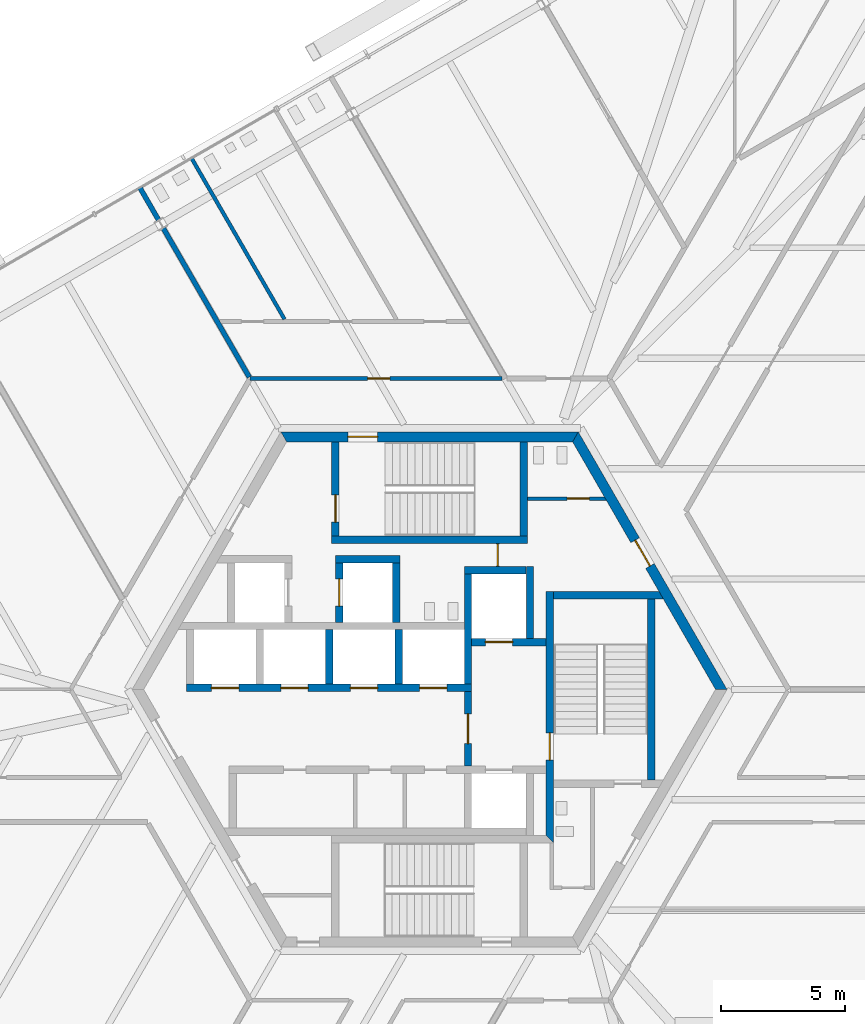
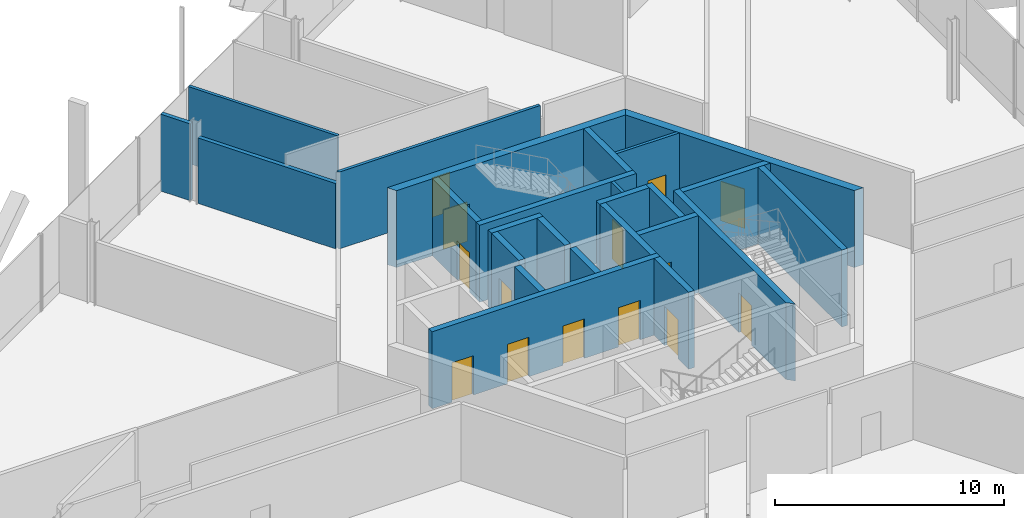
# One storey, part 13 of 19: 25 walls, 14 doors, 14 openings.
"""IFC4 building model written with IfcOpenShell, lengths in metres."""

import ifcopenshell
import ifcopenshell.guid

model = None  # the IFC model being written
_history = None  # IfcOwnerHistory: only IFC2X3 demands one
_inside = {}  # id of a spatial element -> (the spatial element, [elements in it])
_under = {}  # id of a project, library or spatial element -> (it, [spatial elements below it])
_declared = {}  # id of a project -> (the project, [libraries it declares])
_typed = {}  # id of a type object -> (the type object, [elements of that type])
_made_of = {}  # id of a material, layer set ... -> (it, [elements and type objects made of it])


def new_model(schema):
    """Start an empty IFC model of exactly this schema.

    Asked for "IFC4X3", IfcOpenShell would pick the latest addendum, in which some entities
    have other attributes; the version numbers below select the first issue.
    IFC2X3 requires an IfcOwnerHistory on every rooted entity: one is made here for all.
    """
    global model, _history
    if schema == "IFC4X3":
        model = ifcopenshell.file(schema_version=(4, 3, 0, 0))
    else:
        model = ifcopenshell.file(schema=schema)
    _inside.clear()
    _under.clear()
    _declared.clear()
    _typed.clear()
    _made_of.clear()
    _history = None
    if model.schema == "IFC2X3":
        org = make("IfcOrganization", Name="unknown")
        user = make(
            "IfcPersonAndOrganization",
            ThePerson=make("IfcPerson", FamilyName="unknown"),
            TheOrganization=org,
        )
        app = make(
            "IfcApplication",
            ApplicationDeveloper=org,
            Version="unknown",
            ApplicationFullName="unknown",
            ApplicationIdentifier="unknown",
        )
        _history = make(
            "IfcOwnerHistory",
            OwningUser=user,
            OwningApplication=app,
            ChangeAction="ADDED",
            CreationDate=0,
        )
    return model


def make(cls, **values):
    """One entity of the class cls with the attributes given. An attribute that is None is left unset."""
    return model.create_entity(
        cls, **{name: value for name, value in values.items() if value is not None}
    )


def rooted(cls, **values):
    """An entity with a GlobalId (a new one), such as an element, a storey or a relation."""
    return make(cls, GlobalId=ifcopenshell.guid.new(), OwnerHistory=_history, **values)


def si_unit(unit_type, name, prefix=None):
    """IfcSIUnit, for example si_unit("LENGTHUNIT", "METRE", prefix="MILLI")."""
    return make("IfcSIUnit", UnitType=unit_type, Prefix=prefix, Name=name)


def assignment(units):
    """IfcUnitAssignment: the units of a project."""
    return None if units is None else make("IfcUnitAssignment", Units=units)


def point(xyz):
    """IfcCartesianPoint."""
    return None if xyz is None else make("IfcCartesianPoint", Coordinates=xyz)


def direction(xyz):
    """IfcDirection."""
    return None if xyz is None else make("IfcDirection", DirectionRatios=xyz)


def frame(location, z_axis=None, x_axis=None):
    """IfcAxis2Placement3D, a coordinate frame: its origin and axes. An axis left out is left unset."""
    return make(
        "IfcAxis2Placement3D",
        Location=point(location),
        Axis=direction(z_axis),
        RefDirection=direction(x_axis),
    )


def frame_2d(location, x_axis=None):
    """IfcAxis2Placement2D, a coordinate frame in the plane: its origin and x axis."""
    return make(
        "IfcAxis2Placement2D", Location=point(location), RefDirection=direction(x_axis)
    )


def origin():
    """The frame at (0, 0, 0) with its axes left unset."""
    return frame((0.0, 0.0, 0.0))


def place(relative_to, where):
    """IfcLocalPlacement: puts the frame where relative to a parent placement (None: the world)."""
    return make(
        "IfcLocalPlacement", PlacementRelTo=relative_to, RelativePlacement=where
    )


def context(
    kind, dimensions, precision=None, world=None, true_north=None, identifier=None
):
    """IfcGeometricRepresentationContext, for example the 3D "Model" context."""
    return make(
        "IfcGeometricRepresentationContext",
        ContextIdentifier=identifier,
        ContextType=kind,
        CoordinateSpaceDimension=dimensions,
        Precision=precision,
        WorldCoordinateSystem=world,
        TrueNorth=true_north,
    )


def subcontext(parent, identifier, kind, view, scale=None):
    """IfcGeometricRepresentationSubContext, for example "Body" below "Model"."""
    return make(
        "IfcGeometricRepresentationSubContext",
        ContextIdentifier=identifier,
        ContextType=kind,
        ParentContext=parent,
        TargetScale=scale,
        TargetView=view,
    )


def project(units=None, contexts=None):
    """IfcProject with its units and contexts."""
    return rooted(
        "IfcProject",
        Name="project",
        RepresentationContexts=contexts,
        UnitsInContext=assignment(units),
    )


def spatial(cls, under=None, at=None, **own):
    """A site, building, storey or space (cls), placed at a placement, below another one or the project."""
    s = rooted(cls, ObjectPlacement=at, **own)
    if under is not None:
        _under.setdefault(under.id(), (under, []))[1].append(s)
    return s


def polyline(points):
    """IfcPolyline through the points."""
    return make("IfcPolyline", Points=[point(p) for p in points])


def profile(cls, at=None, kind="AREA", **sizes):
    """A parametric profile (cls). Its sizes go by their IFC names, for example OverallWidth=200.0."""
    return make(cls, ProfileType=kind, Position=at, **sizes)


def rectangle(**sizes):
    """IfcRectangleProfileDef."""
    return profile("IfcRectangleProfileDef", **sizes)


def outline(outer, holes=None, kind="AREA"):
    """IfcArbitraryClosedProfileDef: a profile drawn as a closed curve; with holes, ...WithVoids."""
    if holes is None:
        return make("IfcArbitraryClosedProfileDef", ProfileType=kind, OuterCurve=outer)
    return make(
        "IfcArbitraryProfileDefWithVoids",
        ProfileType=kind,
        OuterCurve=outer,
        InnerCurves=holes,
    )


def extrude(swept, where, along, depth):
    """IfcExtrudedAreaSolid: the profile swept, set in the frame where, extruded along a direction by depth."""
    return make(
        "IfcExtrudedAreaSolid",
        SweptArea=swept,
        Position=where,
        ExtrudedDirection=direction(along),
        Depth=depth,
    )


def shape(context_of_items, identifier, shape_type, items):
    """IfcShapeRepresentation: the items that make up one representation, for example the "Body"."""
    return make(
        "IfcShapeRepresentation",
        ContextOfItems=context_of_items,
        RepresentationIdentifier=identifier,
        RepresentationType=shape_type,
        Items=items,
    )


def source(mapping_origin, context_of_items, identifier, shape_type, items):
    """IfcRepresentationMap: a shape defined once, which mapped items show again and again."""
    return make(
        "IfcRepresentationMap",
        MappingOrigin=mapping_origin,
        MappedRepresentation=shape(context_of_items, identifier, shape_type, items),
    )


def transform(
    local_origin,
    x_axis=None,
    y_axis=None,
    z_axis=None,
    scale=None,
    scale2=None,
    scale3=None,
    uniform=True,
):
    """IfcCartesianTransformationOperator3D, or its non-uniform kind. x_axis, y_axis, z_axis: its Axis1, 2, 3."""
    if uniform:
        return make(
            "IfcCartesianTransformationOperator3D",
            Axis1=direction(x_axis),
            Axis2=direction(y_axis),
            LocalOrigin=point(local_origin),
            Scale=scale,
            Axis3=direction(z_axis),
        )
    return make(
        "IfcCartesianTransformationOperator3DnonUniform",
        Axis1=direction(x_axis),
        Axis2=direction(y_axis),
        LocalOrigin=point(local_origin),
        Scale=scale,
        Axis3=direction(z_axis),
        Scale2=scale2,
        Scale3=scale3,
    )


def mapped(mapping_source, mapping_target):
    """IfcMappedItem: shows the shape of a source again, moved by a transform."""
    return make(
        "IfcMappedItem", MappingSource=mapping_source, MappingTarget=mapping_target
    )


def material(Name=None, Category=None):
    """IfcMaterial."""
    return make("IfcMaterial", Name=Name, Category=Category)


def layer(
    of_material, thickness, ventilated=None, Name=None, Category=None, Priority=None
):
    """IfcMaterialLayer: one layer of a wall or slab, of a material (None: an air gap)."""
    return make(
        "IfcMaterialLayer",
        Material=of_material,
        LayerThickness=thickness,
        IsVentilated=ventilated,
        Name=Name,
        Category=Category,
        Priority=Priority,
    )


def layer_set(layers, Name=None):
    """IfcMaterialLayerSet."""
    return make("IfcMaterialLayerSet", MaterialLayers=layers, LayerSetName=Name)


def made_of(thing, what):
    """Note that an element or type object is made of a material, layer set ...; save() writes the relation."""
    if what is not None:
        _made_of.setdefault(what.id(), (what, []))[1].append(thing)
    return thing


def type_object(cls, material=None, **own):
    """A type object (cls), such as IfcWallType, which elements share."""
    return made_of(rooted(cls, **own), material)


def element(
    cls,
    number,
    at=None,
    inside=None,
    cuts=None,
    type_object=None,
    material=None,
    context=None,
    identifier="Body",
    shape_type=None,
    held_by="IfcProductDefinitionShape",
    body=None,
    shapes=None,
    **own,
):
    """One element of the class cls, such as IfcWall. Its Tag is "e" and its number.

    at: its placement. inside: the storey or other place that contains it. cuts: it is an
    opening in that element (IfcRelVoidsElement). A single representation is given by context,
    identifier, shape_type and body (its items); several are given by shapes. held_by: the class
    of the entity that holds the representations. save() writes the other relations.
    """
    e = rooted(cls, Tag="e%d" % number, ObjectPlacement=at, **own)
    if body is not None:
        shapes = [shape(context, identifier, shape_type, body)]
    if shapes is not None:
        e.Representation = make(held_by, Representations=shapes)
    if inside is not None:
        _inside.setdefault(inside.id(), (inside, []))[1].append(e)
    if cuts is not None:
        rooted(
            "IfcRelVoidsElement", RelatingBuildingElement=cuts, RelatedOpeningElement=e
        )
    if type_object is not None:
        _typed.setdefault(type_object.id(), (type_object, []))[1].append(e)
    return made_of(e, material)


def fill(opening, filler):
    """IfcRelFillsElement: the door or window that sits in an opening."""
    return rooted(
        "IfcRelFillsElement",
        RelatingOpeningElement=opening,
        RelatedBuildingElement=filler,
    )


def aggregate(whole, parts):
    """IfcRelAggregates: a whole, such as a stair, and the parts it consists of."""
    return rooted("IfcRelAggregates", RelatingObject=whole, RelatedObjects=parts)


def save(model, path):
    """Write the relations noted so far, then the file.

    IfcRelAggregates (storeys below a building ...), IfcRelContainedInSpatialStructure (elements
    in a storey), IfcRelDefinesByType, IfcRelAssociatesMaterial and IfcRelDeclares: one each for
    every whole, place, type object, material and project.
    """
    for whole, parts in _under.values():
        aggregate(whole, parts)
    for where, things in _inside.values():
        rooted(
            "IfcRelContainedInSpatialStructure",
            RelatedElements=things,
            RelatingStructure=where,
        )
    for kind, things in _typed.values():
        rooted("IfcRelDefinesByType", RelatedObjects=things, RelatingType=kind)
    for what, things in _made_of.values():
        rooted("IfcRelAssociatesMaterial", RelatedObjects=things, RelatingMaterial=what)
    for by, libraries in _declared.values():
        rooted("IfcRelDeclares", RelatingContext=by, RelatedDefinitions=libraries)
    model.write(path)


model = new_model("IFC4")

# Units and contexts
model_context = context("Model", 3, precision=1e-05, world=origin(), true_north=direction((0.0, 1.0)))
body_context = subcontext(model_context, "Body", "Model", "MODEL_VIEW")
ifc_project = project(units=[si_unit("LENGTHUNIT", "METRE"), si_unit("AREAUNIT", "SQUARE_METRE"), si_unit("VOLUMEUNIT", "CUBIC_METRE"), si_unit("PLANEANGLEUNIT", "RADIAN"), si_unit("MASSUNIT", "GRAM", prefix="KILO")], contexts=[model_context])

# Site, building, storey
site_placement = place(None, origin())
site = spatial("IfcSite", under=ifc_project, at=site_placement, CompositionType="ELEMENT")
building_placement = place(site_placement, origin())
building = spatial("IfcBuilding", under=site, at=building_placement, Name="Triune Harvest Tower", CompositionType="ELEMENT")
storey_placement = place(building_placement, frame((0.0, 0.0, 24.60009765625)))
storey = spatial("IfcBuildingStorey", under=building, at=storey_placement, Name="L05", CompositionType="ELEMENT", Elevation=24.60009765625)

# Wall, opening, door
ifc_material_1 = material(Name="Concrete 70 MPa", Category="concrete")
ifc_layer_1 = layer(ifc_material_1, 0.39990234375)
ifc_layer_set_1 = layer_set([ifc_layer_1], Name="Concrete 70 MPa")
wall_type_1 = type_object("IfcWallType", Name="Core wall 400", PredefinedType="SHEAR", material=ifc_layer_set_1)
shared_shape_1 = source(origin(), body_context, "Body", "SweptSolid", [
    extrude(outline(polyline([(-0.115478515625, -0.199951171875), (11.884521484375, -0.199951171875), (11.653564453125, 0.199951171875), (0.115478515625, 0.199951171875), (-0.115478515625, -0.199951171875)])), origin(), (0.0, 0.0, 1.0), 4.099853515625),
])
wall_1_placement = place(storey_placement, frame((11.76904296875, 0.0, 0.0), z_axis=(0.0, 0.0, 1.0), x_axis=(-0.499996592174, 0.866027371285, 0.0)))
wall_1 = element("IfcWall", 1, at=wall_1_placement, inside=storey, type_object=wall_type_1, Name="Hexagon 0 wall", PredefinedType="SHEAR", context=body_context, shape_type="MappedRepresentation", body=[
    mapped(shared_shape_1, transform((0.0, 0.0, 0.0), scale=1.0)),
])
opening_1_placement = place(wall_1_placement, frame((5.75048828125, 0.0, 0.0)))
opening_1 = element("IfcOpeningElement", 2, at=opening_1_placement, cuts=wall_1, Name="Opening CD-WCP", PredefinedType="OPENING", context=body_context, shape_type="SweptSolid", body=[
    extrude(rectangle(XDim=1.199951171875, YDim=2.10009765625, at=frame_2d((0.60009765625, 1.050048828125))), frame((0.0, 0.2099609375, 0.0), z_axis=(0.0, -1.0, 0.0), x_axis=(1.0, 0.0, 0.0)), (0.0, 0.0, 1.0), 0.419921875),
])
ifc_material_2 = material(Name="Steel S235", Category="steel")
door_type_1 = type_object("IfcDoorType", Name="Lobby door 1200 FD120", OperationType="SINGLE_SWING_LEFT", PredefinedType="DOOR", material=ifc_material_2)
door_1_placement = place(opening_1_placement, frame((1.199951171875, 0.0, 0.0), z_axis=(0.0, 0.0, 1.0), x_axis=(-1.0, 0.0, 0.0)))
door_1 = element("IfcDoor", 3, at=door_1_placement, inside=storey, type_object=door_type_1, Name="Door CD-WCP", OperationType="SINGLE_SWING_RIGHT", OverallHeight=2.10009765625, OverallWidth=1.199951171875, PredefinedType="DOOR", context=body_context, shape_type="SweptSolid", body=[
    extrude(rectangle(XDim=1.199951171875, YDim=2.10009765625, at=frame_2d((0.60009765625, 1.050048828125))), frame((0.0, 0.02490234375, 0.0), z_axis=(0.0, -1.0, 0.0), x_axis=(1.0, 0.0, 0.0)), (0.0, 0.0, 1.0), 0.050048828125),
])
fill(opening_1, door_1)

wall_2_placement = place(storey_placement, frame((5.884521484375, 10.1923828125, 0.0), z_axis=(0.0, 0.0, 1.0), x_axis=(-1.0, 0.0, 0.0)))
wall_2 = element("IfcWall", 4, at=wall_2_placement, inside=storey, type_object=wall_type_1, Name="Hexagon 1 wall", PredefinedType="SHEAR", context=body_context, shape_type="MappedRepresentation", body=[
    mapped(shared_shape_1, transform((0.0, 0.0, 0.0), scale=1.0)),
])
opening_2_placement = place(wall_2_placement, frame((7.984619140625, 0.0, 0.0)))
opening_2 = element("IfcOpeningElement", 5, at=opening_2_placement, cuts=wall_2, Name="Opening CD-S1P", PredefinedType="OPENING", context=body_context, shape_type="SweptSolid", body=[
    extrude(rectangle(XDim=1.199951171875, YDim=2.10009765625, at=frame_2d((0.60009765625, 1.050048828125))), frame((0.0, 0.2099609375, 0.0), z_axis=(0.0, -1.0, 0.0), x_axis=(1.0, 0.0, 0.0)), (0.0, 0.0, 1.0), 0.419921875),
])
ifc_material_3 = material(Name="Steel S235", Category="steel")
door_type_2 = type_object("IfcDoorType", Name="Stair door 1200 FD120", OperationType="SINGLE_SWING_LEFT", PredefinedType="DOOR", material=ifc_material_3)
door_2_placement = place(opening_2_placement, frame((1.199951171875, 0.0, 0.0), z_axis=(0.0, 0.0, 1.0), x_axis=(-1.0, 0.0, 0.0)))
door_2 = element("IfcDoor", 6, at=door_2_placement, inside=storey, type_object=door_type_2, Name="Door CD-S1P", OperationType="SINGLE_SWING_RIGHT", OverallHeight=2.10009765625, OverallWidth=1.199951171875, PredefinedType="DOOR", context=body_context, shape_type="SweptSolid", body=[
    extrude(rectangle(XDim=1.199951171875, YDim=2.10009765625, at=frame_2d((0.60009765625, 1.050048828125))), frame((0.0, 0.02490234375, 0.0), z_axis=(0.0, -1.0, 0.0), x_axis=(1.0, 0.0, 0.0)), (0.0, 0.0, 1.0), 0.050048828125),
])
fill(opening_2, door_2)

# Wall, openings, doors
ifc_material_4 = material(Name="Concrete 70 MPa", Category="concrete")
ifc_layer_2 = layer(ifc_material_4, 0.300048828125)
ifc_layer_set_2 = layer_set([ifc_layer_2], Name="Concrete 70 MPa")
wall_type_2 = type_object("IfcWallType", Name="Core wall 300", PredefinedType="SHEAR", material=ifc_layer_set_2)
shared_shape_2 = source(origin(), body_context, "Body", "SweptSolid", [
    extrude(rectangle(XDim=11.5, YDim=0.300048828125, at=frame_2d((5.75, 0.0))), origin(), (0.0, 0.0, 1.0), 4.099853515625),
])
wall_3_placement = place(storey_placement, frame((-9.800048828125, 0.06005859375, 0.0), z_axis=(0.0, 0.0, 1.0), x_axis=(1.0, 0.0, 0.0)))
wall_3 = element("IfcWall", 7, at=wall_3_placement, inside=storey, type_object=wall_type_2, Name="North front wall", PredefinedType="SHEAR", context=body_context, shape_type="MappedRepresentation", body=[
    mapped(shared_shape_2, transform((0.0, 0.0, 0.0), scale=1.0)),
])
opening_3_placement = place(wall_3_placement, frame((1.0, 0.0, 0.0)))
opening_3 = element("IfcOpeningElement", 8, at=opening_3_placement, cuts=wall_3, Name="Opening LD-LR1-05", PredefinedType="OPENING", context=body_context, shape_type="SweptSolid", body=[
    extrude(rectangle(XDim=1.10009765625, YDim=2.10009765625, at=frame_2d((0.550048828125, 1.050048828125))), frame((0.0, 0.16015625, 0.0), z_axis=(0.0, -1.0, 0.0), x_axis=(1.0, 0.0, 0.0)), (0.0, 0.0, 1.0), 0.320068359375),
])
opening_4_placement = place(wall_3_placement, frame((3.800048828125, 0.0, 0.0)))
opening_4 = element("IfcOpeningElement", 9, at=opening_4_placement, cuts=wall_3, Name="Opening LD-LR2-05", PredefinedType="OPENING", context=body_context, shape_type="SweptSolid", body=[
    extrude(rectangle(XDim=1.10009765625, YDim=2.10009765625, at=frame_2d((0.550048828125, 1.050048828125))), frame((0.0, 0.16015625, 0.0), z_axis=(0.0, -1.0, 0.0), x_axis=(1.0, 0.0, 0.0)), (0.0, 0.0, 1.0), 0.320068359375),
])
opening_5_placement = place(wall_3_placement, frame((6.60009765625, 0.0, 0.0)))
opening_5 = element("IfcOpeningElement", 10, at=opening_5_placement, cuts=wall_3, Name="Opening LD-LR3-05", PredefinedType="OPENING", context=body_context, shape_type="SweptSolid", body=[
    extrude(rectangle(XDim=1.10009765625, YDim=2.10009765625, at=frame_2d((0.550048828125, 1.050048828125))), frame((0.0, 0.16015625, 0.0), z_axis=(0.0, -1.0, 0.0), x_axis=(1.0, 0.0, 0.0)), (0.0, 0.0, 1.0), 0.320068359375),
])
opening_6_placement = place(wall_3_placement, frame((9.39990234375, 0.0, 0.0)))
opening_6 = element("IfcOpeningElement", 11, at=opening_6_placement, cuts=wall_3, Name="Opening LD-LR4-05", PredefinedType="OPENING", context=body_context, shape_type="SweptSolid", body=[
    extrude(rectangle(XDim=1.10009765625, YDim=2.10009765625, at=frame_2d((0.550048828125, 1.050048828125))), frame((0.0, 0.16015625, 0.0), z_axis=(0.0, -1.0, 0.0), x_axis=(1.0, 0.0, 0.0)), (0.0, 0.0, 1.0), 0.320068359375),
])
ifc_material_5 = material(Name="Stainless steel AISI 304", Category="steel")
door_type_3 = type_object("IfcDoorType", Name="Landing door 1100 x 2100", OperationType="DOUBLE_DOOR_SLIDING", PredefinedType="DOOR", material=ifc_material_5)
door_3_placement = place(opening_3_placement, origin())
door_3 = element("IfcDoor", 12, at=door_3_placement, inside=storey, type_object=door_type_3, Name="Door LD-LR1-05", OperationType="DOUBLE_DOOR_SLIDING", OverallHeight=2.10009765625, OverallWidth=1.10009765625, PredefinedType="DOOR", context=body_context, shape_type="SweptSolid", body=[
    extrude(rectangle(XDim=1.10009765625, YDim=2.10009765625, at=frame_2d((0.550048828125, 1.050048828125))), frame((0.0, 0.02490234375, 0.0), z_axis=(0.0, -1.0, 0.0), x_axis=(1.0, 0.0, 0.0)), (0.0, 0.0, 1.0), 0.050048828125),
])
fill(opening_3, door_3)
door_4_placement = place(opening_4_placement, origin())
door_4 = element("IfcDoor", 13, at=door_4_placement, inside=storey, type_object=door_type_3, Name="Door LD-LR2-05", OperationType="DOUBLE_DOOR_SLIDING", OverallHeight=2.10009765625, OverallWidth=1.10009765625, PredefinedType="DOOR", context=body_context, shape_type="SweptSolid", body=[
    extrude(rectangle(XDim=1.10009765625, YDim=2.10009765625, at=frame_2d((0.550048828125, 1.050048828125))), frame((0.0, 0.02490234375, 0.0), z_axis=(0.0, -1.0, 0.0), x_axis=(1.0, 0.0, 0.0)), (0.0, 0.0, 1.0), 0.050048828125),
])
fill(opening_4, door_4)
door_5_placement = place(opening_5_placement, origin())
door_5 = element("IfcDoor", 14, at=door_5_placement, inside=storey, type_object=door_type_3, Name="Door LD-LR3-05", OperationType="DOUBLE_DOOR_SLIDING", OverallHeight=2.10009765625, OverallWidth=1.10009765625, PredefinedType="DOOR", context=body_context, shape_type="SweptSolid", body=[
    extrude(rectangle(XDim=1.10009765625, YDim=2.10009765625, at=frame_2d((0.550048828125, 1.050048828125))), frame((0.0, 0.02490234375, 0.0), z_axis=(0.0, -1.0, 0.0), x_axis=(1.0, 0.0, 0.0)), (0.0, 0.0, 1.0), 0.050048828125),
])
fill(opening_5, door_5)
door_6_placement = place(opening_6_placement, origin())
door_6 = element("IfcDoor", 15, at=door_6_placement, inside=storey, type_object=door_type_3, Name="Door LD-LR4-05", OperationType="DOUBLE_DOOR_SLIDING", OverallHeight=2.10009765625, OverallWidth=1.10009765625, PredefinedType="DOOR", context=body_context, shape_type="SweptSolid", body=[
    extrude(rectangle(XDim=1.10009765625, YDim=2.10009765625, at=frame_2d((0.550048828125, 1.050048828125))), frame((0.0, 0.02490234375, 0.0), z_axis=(0.0, -1.0, 0.0), x_axis=(1.0, 0.0, 0.0)), (0.0, 0.0, 1.0), 0.050048828125),
])
fill(opening_6, door_6)

# Walls
shared_shape_3 = source(origin(), body_context, "Body", "SweptSolid", [
    extrude(rectangle(XDim=2.5, YDim=0.300048828125, at=frame_2d((1.25, 0.0))), origin(), (0.0, 0.0, 1.0), 4.099853515625),
])
wall_4_placement = place(storey_placement, frame((1.39990234375, 4.81005859375, 0.0), z_axis=(0.0, 0.0, 1.0), x_axis=(1.0, 0.0, 0.0)))
element("IfcWall", 16, at=wall_4_placement, inside=storey, type_object=wall_type_2, Name="Ff1 back wall", PredefinedType="SHEAR", context=body_context, shape_type="MappedRepresentation", body=[
    mapped(shared_shape_3, transform((0.0, 0.0, 0.0), scale=1.0)),
])
shared_shape_4 = source(origin(), body_context, "Body", "SweptSolid", [
    extrude(rectangle(XDim=4.449951171875, YDim=0.300048828125, at=frame_2d((2.22509765625, 0.0))), origin(), (0.0, 0.0, 1.0), 4.099853515625),
])
wall_5_placement = place(storey_placement, frame((1.550048828125, 0.2099609375, 0.0), z_axis=(0.0, 0.0, 1.0), x_axis=(0.0, 1.0, 0.0)))
element("IfcWall", 17, at=wall_5_placement, inside=storey, type_object=wall_type_2, Name="Ff1 west wall", PredefinedType="SHEAR", context=body_context, shape_type="MappedRepresentation", body=[
    mapped(shared_shape_4, transform((0.0, 0.0, 0.0), scale=1.0)),
])

# Wall, opening, door
shared_shape_5 = source(origin(), body_context, "Body", "SweptSolid", [
    extrude(rectangle(XDim=3.0, YDim=0.300048828125, at=frame_2d((1.5, 0.0))), origin(), (0.0, 0.0, 1.0), 4.099853515625),
])
wall_6_placement = place(storey_placement, frame((1.699951171875, 1.909912109375, 0.0), z_axis=(0.0, 0.0, 1.0), x_axis=(1.0, 0.0, 0.0)))
wall_6 = element("IfcWall", 18, at=wall_6_placement, inside=storey, type_object=wall_type_2, Name="Ff1 front wall", PredefinedType="SHEAR", context=body_context, shape_type="MappedRepresentation", body=[
    mapped(shared_shape_5, transform((0.0, 0.0, 0.0), scale=1.0)),
])
opening_7_placement = place(wall_6_placement, frame((0.550048828125, 0.0, 0.0)))
opening_7 = element("IfcOpeningElement", 19, at=opening_7_placement, cuts=wall_6, Name="Opening LD-FF1-05", PredefinedType="OPENING", context=body_context, shape_type="SweptSolid", body=[
    extrude(rectangle(XDim=1.10009765625, YDim=2.10009765625, at=frame_2d((0.550048828125, 1.050048828125))), frame((0.0, 0.16015625, 0.0), z_axis=(0.0, -1.0, 0.0), x_axis=(1.0, 0.0, 0.0)), (0.0, 0.0, 1.0), 0.320068359375),
])
door_7_placement = place(opening_7_placement, origin())
door_7 = element("IfcDoor", 20, at=door_7_placement, inside=storey, type_object=door_type_3, Name="Door LD-FF1-05", OperationType="DOUBLE_DOOR_SLIDING", OverallHeight=2.10009765625, OverallWidth=1.10009765625, PredefinedType="DOOR", context=body_context, shape_type="SweptSolid", body=[
    extrude(rectangle(XDim=1.10009765625, YDim=2.10009765625, at=frame_2d((0.550048828125, 1.050048828125))), frame((0.0, 0.02490234375, 0.0), z_axis=(0.0, -1.0, 0.0), x_axis=(1.0, 0.0, 0.0)), (0.0, 0.0, 1.0), 0.050048828125),
])
fill(opening_7, door_7)

wall_7_placement = place(storey_placement, frame((1.550048828125, -3.090087890625, 0.0), z_axis=(0.0, 0.0, 1.0), x_axis=(0.0, 1.0, 0.0)))
wall_7 = element("IfcWall", 21, at=wall_7_placement, inside=storey, type_object=wall_type_2, Name="Ff lobby west wall", PredefinedType="SHEAR", context=body_context, shape_type="MappedRepresentation", body=[
    mapped(shared_shape_5, transform((0.0, 0.0, 0.0), scale=1.0)),
])
opening_8_placement = place(wall_7_placement, frame((0.89990234375, 0.0, 0.0)))
opening_8 = element("IfcOpeningElement", 22, at=opening_8_placement, cuts=wall_7, Name="Opening CD-FL", PredefinedType="OPENING", context=body_context, shape_type="SweptSolid", body=[
    extrude(rectangle(XDim=1.199951171875, YDim=2.10009765625, at=frame_2d((0.60009765625, 1.050048828125))), frame((0.0, 0.16015625, 0.0), z_axis=(0.0, -1.0, 0.0), x_axis=(1.0, 0.0, 0.0)), (0.0, 0.0, 1.0), 0.320068359375),
])
ifc_material_6 = material(Name="Steel S235", Category="steel")
door_type_4 = type_object("IfcDoorType", Name="Firefighters' lobby door 1200 FD120", OperationType="SINGLE_SWING_LEFT", PredefinedType="DOOR", material=ifc_material_6)
door_8_placement = place(opening_8_placement, frame((1.199951171875, 0.0, 0.0), z_axis=(0.0, 0.0, 1.0), x_axis=(-1.0, 0.0, 0.0)))
door_8 = element("IfcDoor", 23, at=door_8_placement, inside=storey, type_object=door_type_4, Name="Door CD-FL", OperationType="SINGLE_SWING_RIGHT", OverallHeight=2.10009765625, OverallWidth=1.199951171875, PredefinedType="DOOR", context=body_context, shape_type="SweptSolid", body=[
    extrude(rectangle(XDim=1.199951171875, YDim=2.10009765625, at=frame_2d((0.60009765625, 1.050048828125))), frame((0.0, 0.02490234375, 0.0), z_axis=(0.0, -1.0, 0.0), x_axis=(1.0, 0.0, 0.0)), (0.0, 0.0, 1.0), 0.050048828125),
])
fill(opening_8, door_8)

# Walls
shared_shape_6 = source(origin(), body_context, "Body", "SweptSolid", [
    extrude(rectangle(XDim=2.89990234375, YDim=0.300048828125, at=frame_2d((1.449951171875, 0.0))), origin(), (0.0, 0.0, 1.0), 4.099853515625),
])
wall_8_placement = place(storey_placement, frame((4.050048828125, 2.06005859375, 0.0), z_axis=(0.0, 0.0, 1.0), x_axis=(0.0, 1.0, 0.0)))
element("IfcWall", 24, at=wall_8_placement, inside=storey, type_object=wall_type_2, Name="Ff1 east wall", PredefinedType="SHEAR", context=body_context, shape_type="MappedRepresentation", body=[
    mapped(shared_shape_6, transform((0.0, 0.0, 0.0), scale=1.0)),
])
shared_shape_7 = source(origin(), body_context, "Body", "SweptSolid", [
    extrude(rectangle(XDim=2.199951171875, YDim=0.300048828125, at=frame_2d((1.10009765625, 0.0))), origin(), (0.0, 0.0, 1.0), 4.099853515625),
])
for number, where, z_axis, x_axis, name in (
    (25, (-4.050048828125, 0.2099609375, 0.0), (0.0, 0.0, 1.0), (0.0, 1.0, 0.0), "North cross 2 wall"),
    (26, (-1.25, 0.2099609375, 0.0), (0.0, 0.0, 1.0), (0.0, 1.0, 0.0), "North cross 3 wall"),
):
    element("IfcWall", number, at=place(storey_placement, frame(where, z_axis=z_axis, x_axis=x_axis)), inside=storey, type_object=wall_type_2, Name=name, PredefinedType="SHEAR", context=body_context, shape_type="MappedRepresentation", body=[
        mapped(shared_shape_7, transform((0.0, 0.0, 0.0), scale=1.0)),
    ])

# Wall, opening, door
shared_shape_8 = source(origin(), body_context, "Body", "SweptSolid", [
    extrude(outline(polyline([(-0.14990234375, -0.14990234375), (9.989990234375, -0.14990234375), (9.989990234375, 0.14990234375), (0.14990234375, 0.14990234375), (-0.14990234375, -0.14990234375)])), origin(), (0.0, 0.0, 1.0), 4.099853515625),
])
wall_9_placement = place(storey_placement, frame((4.85009765625, -6.0400390625, 0.0), z_axis=(0.0, 0.0, 1.0), x_axis=(0.0, 1.0, 0.0)))
wall_9 = element("IfcWall", 27, at=wall_9_placement, inside=storey, type_object=wall_type_2, Name="Stair e west wall", PredefinedType="SHEAR", context=body_context, shape_type="MappedRepresentation", body=[
    mapped(shared_shape_8, transform((0.0, 0.0, 0.0), scale=1.0)),
])
opening_9_placement = place(wall_9_placement, frame((3.18994140625, 0.0, 0.0)))
opening_9 = element("IfcOpeningElement", 28, at=opening_9_placement, cuts=wall_9, Name="Opening CD-S3L", PredefinedType="OPENING", context=body_context, shape_type="SweptSolid", body=[
    extrude(rectangle(XDim=1.10009765625, YDim=2.10009765625, at=frame_2d((0.550048828125, 1.050048828125))), frame((0.0, 0.16015625, 0.0), z_axis=(0.0, -1.0, 0.0), x_axis=(1.0, 0.0, 0.0)), (0.0, 0.0, 1.0), 0.320068359375),
])
ifc_material_7 = material(Name="Steel S235", Category="steel")
door_type_5 = type_object("IfcDoorType", Name="Stair door 1100 FD120", OperationType="SINGLE_SWING_LEFT", PredefinedType="DOOR", material=ifc_material_7)
door_9_placement = place(opening_9_placement, frame((1.10009765625, 0.0, 0.0), z_axis=(0.0, 0.0, 1.0), x_axis=(-1.0, 0.0, 0.0)))
door_9 = element("IfcDoor", 29, at=door_9_placement, inside=storey, type_object=door_type_5, Name="Door CD-S3L", OperationType="SINGLE_SWING_RIGHT", OverallHeight=2.10009765625, OverallWidth=1.10009765625, PredefinedType="DOOR", context=body_context, shape_type="SweptSolid", body=[
    extrude(rectangle(XDim=1.10009765625, YDim=2.10009765625, at=frame_2d((0.550048828125, 1.050048828125))), frame((0.0, 0.02490234375, 0.0), z_axis=(0.0, -1.0, 0.0), x_axis=(1.0, 0.0, 0.0)), (0.0, 0.0, 1.0), 0.050048828125),
])
fill(opening_9, door_9)

# Walls
shared_shape_9 = source(origin(), body_context, "Body", "SweptSolid", [
    extrude(outline(polyline([(0.0, -0.14990234375), (0.0, 0.14990234375), (4.260009765625, 0.14990234375), (4.43310546875, -0.14990234375), (0.0, -0.14990234375)])), origin(), (0.0, 0.0, 1.0), 4.099853515625),
])
wall_10_placement = place(storey_placement, frame((5.0, 3.800048828125, 0.0), z_axis=(0.0, 0.0, 1.0), x_axis=(1.0, 0.0, 0.0)))
element("IfcWall", 30, at=wall_10_placement, inside=storey, type_object=wall_type_2, Name="Stair e north wall", PredefinedType="SHEAR", context=body_context, shape_type="MappedRepresentation", body=[
    mapped(shared_shape_9, transform((0.0, 0.0, 0.0), scale=1.0)),
])
shared_shape_10 = source(origin(), body_context, "Body", "SweptSolid", [
    extrude(rectangle(XDim=7.2998046875, YDim=0.300048828125, at=frame_2d((3.64990234375, 0.0))), origin(), (0.0, 0.0, 1.0), 4.099853515625),
])
wall_11_placement = place(storey_placement, frame((8.949951171875, -3.64990234375, 0.0), z_axis=(0.0, 0.0, 1.0), x_axis=(0.0, 1.0, 0.0)))
element("IfcWall", 31, at=wall_11_placement, inside=storey, type_object=wall_type_2, Name="Stair e east wall", PredefinedType="SHEAR", context=body_context, shape_type="MappedRepresentation", body=[
    mapped(shared_shape_10, transform((0.0, 0.0, 0.0), scale=1.0)),
])
shared_shape_11 = source(origin(), body_context, "Body", "SweptSolid", [
    extrude(rectangle(XDim=7.89990234375, YDim=0.300048828125, at=frame_2d((3.949951171875, 0.0))), origin(), (0.0, 0.0, 1.0), 4.099853515625),
])
wall_12_placement = place(storey_placement, frame((-3.949951171875, 6.0400390625, 0.0), z_axis=(0.0, 0.0, 1.0), x_axis=(1.0, 0.0, 0.0)))
element("IfcWall", 32, at=wall_12_placement, inside=storey, type_object=wall_type_2, Name="Stair n south wall", PredefinedType="SHEAR", context=body_context, shape_type="MappedRepresentation", body=[
    mapped(shared_shape_11, transform((0.0, 0.0, 0.0), scale=1.0)),
])

# Wall, opening, door
shared_shape_12 = source(origin(), body_context, "Body", "SweptSolid", [
    extrude(outline(polyline([(0.0, -0.14990234375), (0.0, 0.14990234375), (3.80419921875, 0.14990234375), (3.80419921875, -0.14990234375), (0.0, -0.14990234375)])), origin(), (0.0, 0.0, 1.0), 4.099853515625),
])
wall_13_placement = place(storey_placement, frame((-3.800048828125, 6.18994140625, 0.0), z_axis=(0.0, 0.0, 1.0), x_axis=(0.0, 1.0, 0.0)))
wall_13 = element("IfcWall", 33, at=wall_13_placement, inside=storey, type_object=wall_type_2, Name="Stair n west wall", PredefinedType="SHEAR", context=body_context, shape_type="MappedRepresentation", body=[
    mapped(shared_shape_12, transform((0.0, 0.0, 0.0), scale=1.0)),
])
opening_10_placement = place(wall_13_placement, frame((0.56005859375, 0.0, 0.0)))
opening_10 = element("IfcOpeningElement", 34, at=opening_10_placement, cuts=wall_13, Name="Opening CD-S1L", PredefinedType="OPENING", context=body_context, shape_type="SweptSolid", body=[
    extrude(rectangle(XDim=1.10009765625, YDim=2.10009765625, at=frame_2d((0.550048828125, 1.050048828125))), frame((0.0, 0.16015625, 0.0), z_axis=(0.0, -1.0, 0.0), x_axis=(1.0, 0.0, 0.0)), (0.0, 0.0, 1.0), 0.320068359375),
])
door_10_placement = place(opening_10_placement, frame((1.10009765625, 0.0, 0.0), z_axis=(0.0, 0.0, 1.0), x_axis=(-1.0, 0.0, 0.0)))
door_10 = element("IfcDoor", 35, at=door_10_placement, inside=storey, type_object=door_type_5, Name="Door CD-S1L", OperationType="SINGLE_SWING_RIGHT", OverallHeight=2.10009765625, OverallWidth=1.10009765625, PredefinedType="DOOR", context=body_context, shape_type="SweptSolid", body=[
    extrude(rectangle(XDim=1.10009765625, YDim=2.10009765625, at=frame_2d((0.550048828125, 1.050048828125))), frame((0.0, 0.02490234375, 0.0), z_axis=(0.0, -1.0, 0.0), x_axis=(1.0, 0.0, 0.0)), (0.0, 0.0, 1.0), 0.050048828125),
])
fill(opening_10, door_10)

# Wall
wall_14_placement = place(storey_placement, frame((3.800048828125, 6.18994140625, 0.0), z_axis=(0.0, 0.0, 1.0), x_axis=(0.0, 1.0, 0.0)))
element("IfcWall", 36, at=wall_14_placement, inside=storey, type_object=wall_type_2, Name="Stair n east wall", PredefinedType="SHEAR", context=body_context, shape_type="MappedRepresentation", body=[
    mapped(shared_shape_12, transform((0.0, 0.0, 0.0), scale=1.0)),
])

# Wall, opening, door
shared_shape_13 = source(origin(), body_context, "Body", "SweptSolid", [
    extrude(rectangle(XDim=2.400146484375, YDim=0.300048828125, at=frame_2d((1.2001953125, 0.0))), origin(), (0.0, 0.0, 1.0), 4.099853515625),
])
wall_15_placement = place(storey_placement, frame((-3.64990234375, 2.7099609375, 0.0), z_axis=(0.0, 0.0, 1.0), x_axis=(0.0, 1.0, 0.0)))
wall_15 = element("IfcWall", 37, at=wall_15_placement, inside=storey, type_object=wall_type_2, Name="Sv2 west wall", PredefinedType="SHEAR", context=body_context, shape_type="MappedRepresentation", body=[
    mapped(shared_shape_13, transform((0.0, 0.0, 0.0), scale=1.0)),
])
opening_11_placement = place(wall_15_placement, frame((0.64990234375, 0.0, 0.0)))
opening_11 = element("IfcOpeningElement", 38, at=opening_11_placement, cuts=wall_15, Name="Opening LD-SV2-05", PredefinedType="OPENING", context=body_context, shape_type="SweptSolid", body=[
    extrude(rectangle(XDim=1.10009765625, YDim=2.10009765625, at=frame_2d((0.550048828125, 1.050048828125))), frame((0.0, 0.16015625, 0.0), z_axis=(0.0, -1.0, 0.0), x_axis=(1.0, 0.0, 0.0)), (0.0, 0.0, 1.0), 0.320068359375),
])
door_11_placement = place(opening_11_placement, origin())
door_11 = element("IfcDoor", 39, at=door_11_placement, inside=storey, type_object=door_type_3, Name="Door LD-SV2-05", OperationType="DOUBLE_DOOR_SLIDING", OverallHeight=2.10009765625, OverallWidth=1.10009765625, PredefinedType="DOOR", context=body_context, shape_type="SweptSolid", body=[
    extrude(rectangle(XDim=1.10009765625, YDim=2.10009765625, at=frame_2d((0.550048828125, 1.050048828125))), frame((0.0, 0.02490234375, 0.0), z_axis=(0.0, -1.0, 0.0), x_axis=(1.0, 0.0, 0.0)), (0.0, 0.0, 1.0), 0.050048828125),
])
fill(opening_11, door_11)

# Walls
wall_16_placement = place(storey_placement, frame((-1.35009765625, 2.7099609375, 0.0), z_axis=(0.0, 0.0, 1.0), x_axis=(0.0, 1.0, 0.0)))
element("IfcWall", 40, at=wall_16_placement, inside=storey, type_object=wall_type_2, Name="Sv2 east wall", PredefinedType="SHEAR", context=body_context, shape_type="MappedRepresentation", body=[
    mapped(shared_shape_13, transform((0.0, 0.0, 0.0), scale=1.0)),
])
shared_shape_14 = source(origin(), body_context, "Body", "SweptSolid", [
    extrude(rectangle(XDim=2.60009765625, YDim=0.300048828125, at=frame_2d((1.300048828125, 0.0))), origin(), (0.0, 0.0, 1.0), 4.099853515625),
])
wall_17_placement = place(storey_placement, frame((-3.800048828125, 5.260009765625, 0.0), z_axis=(0.0, 0.0, 1.0), x_axis=(1.0, 0.0, 0.0)))
element("IfcWall", 41, at=wall_17_placement, inside=storey, type_object=wall_type_2, Name="Sv2 north wall", PredefinedType="SHEAR", context=body_context, shape_type="MappedRepresentation", body=[
    mapped(shared_shape_14, transform((0.0, 0.0, 0.0), scale=1.0)),
])

# Wall, opening, door
ifc_material_8 = material(Name="Concrete masonry unit", Category="masonry")
ifc_layer_3 = layer(ifc_material_8, 0.14990234375)
ifc_layer_set_3 = layer_set([ifc_layer_3], Name="Concrete masonry unit")
wall_type_3 = type_object("IfcWallType", Name="Block partition 150 unrated", PredefinedType="PARTITIONING", material=ifc_layer_set_3)
shared_shape_15 = source(origin(), body_context, "Body", "SweptSolid", [
    extrude(outline(polyline([(0.0, -0.074951171875), (0.0, 0.074951171875), (3.1015625, 0.074951171875), (3.18798828125, -0.074951171875), (0.0, -0.074951171875)])), origin(), (0.0, 0.0, 1.0), 4.099853515625),
])
wall_18_placement = place(storey_placement, frame((3.949951171875, 7.699951171875, 0.0), z_axis=(0.0, 0.0, 1.0), x_axis=(1.0, 0.0, 0.0)))
wall_18 = element("IfcWall", 42, at=wall_18_placement, inside=storey, type_object=wall_type_3, Name="Wc women south wall", PredefinedType="PARTITIONING", context=body_context, shape_type="MappedRepresentation", body=[
    mapped(shared_shape_15, transform((0.0, 0.0, 0.0), scale=1.0)),
])
opening_12_placement = place(wall_18_placement, frame((1.60009765625, 0.0, 0.0)))
opening_12 = element("IfcOpeningElement", 43, at=opening_12_placement, cuts=wall_18, Name="Opening CD-WW", PredefinedType="OPENING", context=body_context, shape_type="SweptSolid", body=[
    extrude(rectangle(XDim=0.89990234375, YDim=2.10009765625, at=frame_2d((0.449951171875, 1.050048828125))), frame((0.0, 0.0849609375, 0.0), z_axis=(0.0, -1.0, 0.0), x_axis=(1.0, 0.0, 0.0)), (0.0, 0.0, 1.0), 0.169921875),
])
ifc_material_9 = material(Name="Timber C24", Category="wood")
door_type_6 = type_object("IfcDoorType", Name="WC door 900", OperationType="SINGLE_SWING_LEFT", PredefinedType="DOOR", material=ifc_material_9)
door_12_placement = place(opening_12_placement, origin())
door_12 = element("IfcDoor", 44, at=door_12_placement, inside=storey, type_object=door_type_6, Name="Door CD-WW", OperationType="SINGLE_SWING_LEFT", OverallHeight=2.10009765625, OverallWidth=0.89990234375, PredefinedType="DOOR", context=body_context, shape_type="SweptSolid", body=[
    extrude(rectangle(XDim=0.89990234375, YDim=2.10009765625, at=frame_2d((0.449951171875, 1.050048828125))), frame((0.0, 0.02490234375, 0.0), z_axis=(0.0, -1.0, 0.0), x_axis=(1.0, 0.0, 0.0)), (0.0, 0.0, 1.0), 0.050048828125),
])
fill(opening_12, door_12)

shared_shape_16 = source(origin(), body_context, "Body", "SweptSolid", [
    extrude(rectangle(XDim=0.929931640625, YDim=0.14990234375, at=frame_2d((0.46484375, 0.0))), origin(), (0.0, 0.0, 1.0), 4.099853515625),
])
wall_19_placement = place(storey_placement, frame((2.75, 4.9599609375, 0.0), z_axis=(0.0, 0.0, 1.0), x_axis=(0.0, 1.0, 0.0)))
wall_19 = element("IfcWall", 45, at=wall_19_placement, inside=storey, type_object=wall_type_3, Name="Wc men east b wall", PredefinedType="PARTITIONING", context=body_context, shape_type="MappedRepresentation", body=[
    mapped(shared_shape_16, transform((0.0, 0.0, 0.0), scale=1.0)),
])
opening_13_placement = place(wall_19_placement, frame((0.014892578125, 0.0, 0.0)))
opening_13 = element("IfcOpeningElement", 46, at=opening_13_placement, cuts=wall_19, Name="Opening CD-WM", PredefinedType="OPENING", context=body_context, shape_type="SweptSolid", body=[
    extrude(rectangle(XDim=0.89990234375, YDim=2.10009765625, at=frame_2d((0.449951171875, 1.050048828125))), frame((0.0, 0.0849609375, 0.0), z_axis=(0.0, -1.0, 0.0), x_axis=(1.0, 0.0, 0.0)), (0.0, 0.0, 1.0), 0.169921875),
])
door_13_placement = place(opening_13_placement, origin())
door_13 = element("IfcDoor", 47, at=door_13_placement, inside=storey, type_object=door_type_6, Name="Door CD-WM", OperationType="SINGLE_SWING_LEFT", OverallHeight=2.10009765625, OverallWidth=0.89990234375, PredefinedType="DOOR", context=body_context, shape_type="SweptSolid", body=[
    extrude(rectangle(XDim=0.89990234375, YDim=2.10009765625, at=frame_2d((0.449951171875, 1.050048828125))), frame((0.0, 0.02490234375, 0.0), z_axis=(0.0, -1.0, 0.0), x_axis=(1.0, 0.0, 0.0)), (0.0, 0.0, 1.0), 0.050048828125),
])
fill(opening_13, door_13)

# Walls
ifc_material_10 = material(Name="Gypsum board on steel studs", Category="steel")
ifc_layer_4 = layer(ifc_material_10, 0.199951171875)
ifc_layer_set_4 = layer_set([ifc_layer_4], Name="Gypsum board on steel studs")
wall_type_4 = type_object("IfcWallType", Name="Fire Wall 200 mm", PredefinedType="PARTITIONING", material=ifc_layer_set_4)
shared_shape_17 = source(origin(), body_context, "Body", "SweptSolid", [
    extrude(rectangle(XDim=1.49853515625, YDim=0.199951171875, at=frame_2d((0.749267578125, 0.0))), origin(), (0.0, 0.0, 1.0), 4.099853515625),
])
wall_20_placement = place(storey_placement, frame((-11.685546875, 20.240234375, 0.0), z_axis=(0.0, 0.0, 1.0), x_axis=(0.499976292358, -0.866039090965, 0.0)))
element("IfcWall", 48, at=wall_20_placement, inside=storey, type_object=wall_type_4, Name="Partition L05 005", PredefinedType="PARTITIONING", context=body_context, shape_type="MappedRepresentation", body=[
    mapped(shared_shape_17, transform((0.0, 0.0, 0.0), scale=1.0)),
])
shared_shape_18 = source(origin(), body_context, "Body", "SweptSolid", [
    extrude(rectangle(XDim=6.933837890625, YDim=0.199951171875, at=frame_2d((3.466796875, 0.0))), origin(), (0.0, 0.0, 1.0), 3.48779296875),
])
wall_21_placement = place(storey_placement, frame((-10.7431640625, 18.607666015625, 0.0), z_axis=(0.0, 0.0, 1.0), x_axis=(0.499986605379, -0.866033137035, 0.0)))
element("IfcWall", 49, at=wall_21_placement, inside=storey, type_object=wall_type_4, Name="Partition L05 006", PredefinedType="PARTITIONING", context=body_context, shape_type="MappedRepresentation", body=[
    mapped(shared_shape_18, transform((0.0, 0.0, 0.0), scale=1.0)),
])
ifc_material_11 = material(Name="Gypsum board on steel studs", Category="steel")
ifc_layer_5 = layer(ifc_material_11, 0.14990234375)
ifc_layer_set_5 = layer_set([ifc_layer_5], Name="Gypsum board on steel studs")
wall_type_5 = type_object("IfcWallType", Name="Fire Partition 150 mm", PredefinedType="PARTITIONING", material=ifc_layer_set_5)
shared_shape_19 = source(origin(), body_context, "Body", "SweptSolid", [
    extrude(rectangle(XDim=7.5087890625, YDim=0.14990234375, at=frame_2d((3.75439453125, 0.0))), origin(), (0.0, 0.0, 1.0), 4.099853515625),
])
wall_22_placement = place(storey_placement, frame((-9.607177734375, 21.440185546875, 0.0), z_axis=(0.0, 0.0, 1.0), x_axis=(0.500006720231, -0.866021523823, 0.0)))
element("IfcWall", 50, at=wall_22_placement, inside=storey, type_object=wall_type_5, Name="Partition L05 009", PredefinedType="PARTITIONING", context=body_context, shape_type="MappedRepresentation", body=[
    mapped(shared_shape_19, transform((0.0, 0.0, 0.0), scale=1.0)),
])

# Wall, opening, door
shared_shape_20 = source(origin(), body_context, "Body", "SweptSolid", [
    extrude(rectangle(XDim=10.15478515625, YDim=0.14990234375, at=frame_2d((5.077392578125, 0.0))), origin(), (0.0, 0.0, 1.0), 4.099853515625),
])
wall_23_placement = place(storey_placement, frame((-7.2412109375, 12.542236328125, 0.0), z_axis=(0.0, 0.0, 1.0), x_axis=(1.0, 0.0, 0.0)))
wall_23 = element("IfcWall", 51, at=wall_23_placement, inside=storey, type_object=wall_type_5, Name="Partition L05 038", PredefinedType="PARTITIONING", context=body_context, shape_type="MappedRepresentation", body=[
    mapped(shared_shape_20, transform((0.0, 0.0, 0.0), scale=1.0)),
])
opening_14_placement = place(wall_23_placement, frame((4.73828125, 0.0, 0.0)))
opening_14 = element("IfcOpeningElement", 52, at=opening_14_placement, cuts=wall_23, Name="Opening L05-010", PredefinedType="OPENING", context=body_context, shape_type="SweptSolid", body=[
    extrude(rectangle(XDim=0.89990234375, YDim=2.10009765625, at=frame_2d((0.449951171875, 1.050048828125))), frame((0.0, 0.0849609375, 0.0), z_axis=(0.0, -1.0, 0.0), x_axis=(1.0, 0.0, 0.0)), (0.0, 0.0, 1.0), 0.169921875),
])
ifc_material_12 = material(Name="Timber and steel door set", Category="steel")
door_type_7 = type_object("IfcDoorType", Name="Single leaf door FD30 right hand 900 x 2100", OperationType="SINGLE_SWING_RIGHT", PredefinedType="DOOR", material=ifc_material_12)
door_14_placement = place(opening_14_placement, origin())
door_14 = element("IfcDoor", 53, at=door_14_placement, inside=storey, type_object=door_type_7, Name="Door L05-010 WC lobby 05.10", OperationType="SINGLE_SWING_RIGHT", OverallHeight=2.10009765625, OverallWidth=0.89990234375, PredefinedType="DOOR", context=body_context, shape_type="SweptSolid", body=[
    extrude(rectangle(XDim=0.89990234375, YDim=2.10009765625, at=frame_2d((0.449951171875, 1.050048828125))), frame((0.0, 0.02490234375, 0.0), z_axis=(0.0, -1.0, 0.0), x_axis=(1.0, 0.0, 0.0)), (0.0, 0.0, 1.0), 0.050048828125),
])
fill(opening_14, door_14)

save(model, "model.ifc")
